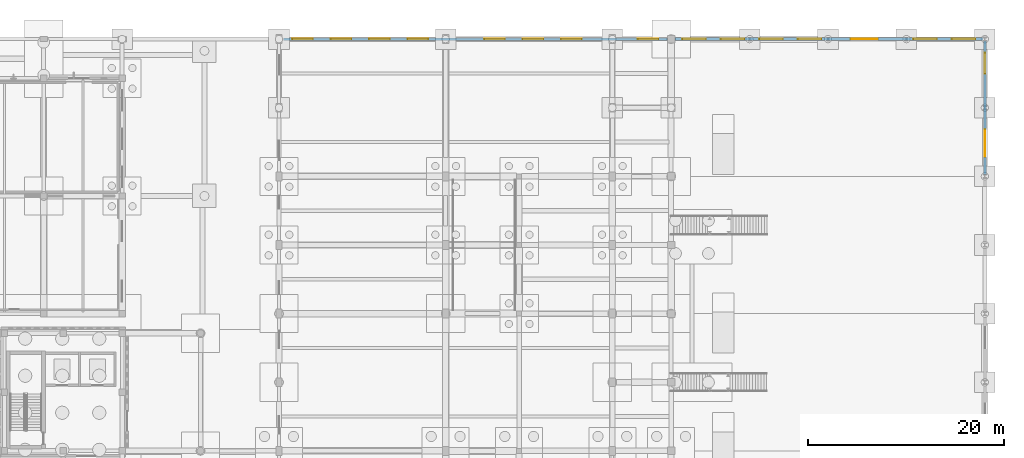
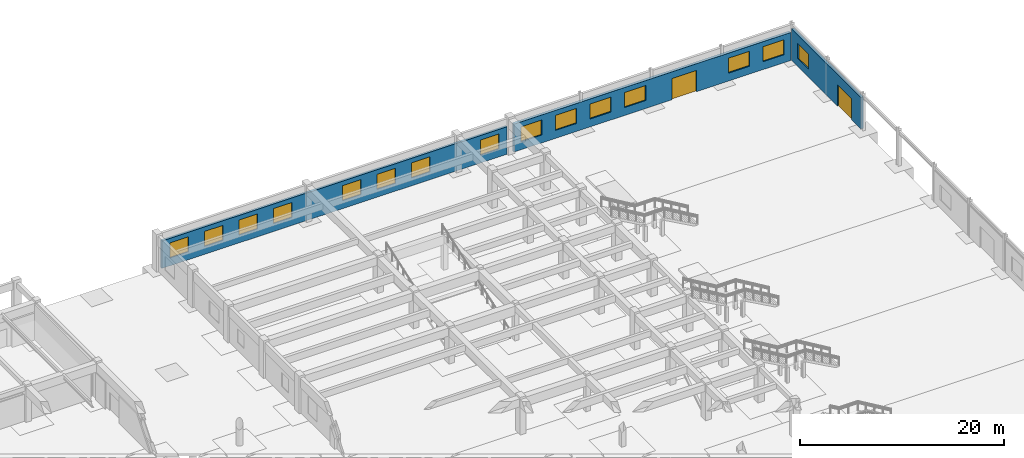
# One storey, part 63 of 84: 15 windows, 3 walls, 2 doors, 17 openings.
"""IFC4 building model written with IfcOpenShell, lengths in metres."""

from ifc_helpers import new_model, si_unit, direction, frame, frame_2d, origin, place, context, subcontext, project, spatial, rectangle, extrude, material, layer, layer_set, type_object, element, fill, save


model = new_model("IFC4")

# Units and contexts
model_context = context("Model", 3, precision=1e-05, world=origin(), true_north=direction((0.0, 1.0)))
body_context = subcontext(model_context, "Body", "Model", "MODEL_VIEW")
ifc_project = project(units=[si_unit("LENGTHUNIT", "METRE"), si_unit("AREAUNIT", "SQUARE_METRE"), si_unit("VOLUMEUNIT", "CUBIC_METRE"), si_unit("PLANEANGLEUNIT", "RADIAN"), si_unit("MASSUNIT", "GRAM", prefix="KILO")], contexts=[model_context])

# Site, building, storey
site_placement = place(None, origin())
site = spatial("IfcSite", under=ifc_project, at=site_placement, CompositionType="ELEMENT")
building_placement = place(site_placement, origin())
building = spatial("IfcBuilding", under=site, at=building_placement, Name="Larkveld Mobility Hub", CompositionType="ELEMENT")
storey_placement = place(building_placement, origin())
storey = spatial("IfcBuildingStorey", under=building, at=storey_placement, Name="L00", CompositionType="ELEMENT", Elevation=0.0)

# Wall, openings, windows
ifc_material_1 = material(Name="Precast concrete C50/60", Category="concrete")
ifc_layer_1 = layer(ifc_material_1, 0.27001953125, Name="Precast concrete C50/60", Category="concrete")
ifc_layer_set_1 = layer_set([ifc_layer_1], Name="Precast concrete C50/60")
wall_type_1 = type_object("IfcWallType", Name="WL-EXT-270", PredefinedType="SOLIDWALL", material=ifc_layer_set_1)
wall_1_placement = place(storey_placement, frame((151.614990234375, 126.0, 0.0), z_axis=(0.0, 0.0, 1.0), x_axis=(-1.0, 0.0, 0.0)))
wall_1 = element("IfcWall", 1, at=wall_1_placement, inside=storey, type_object=wall_type_1, Name="Stepped North Terrace Wall L00-0222", PredefinedType="SOLIDWALL", context=body_context, shape_type="SweptSolid", body=[
    extrude(rectangle(XDim=39.155029296875, YDim=0.27001953125, at=frame_2d((19.57763671875, 0.0))), origin(), (0.0, 0.0, 1.0), 3.294921875),
])
opening_1_placement = place(wall_1_placement, frame((0.907958984375, 0.0, 0.949951171875)))
opening_1 = element("IfcOpeningElement", 2, at=opening_1_placement, cuts=wall_1, Name="Opening W13", PredefinedType="OPENING", context=body_context, shape_type="SweptSolid", body=[
    extrude(rectangle(XDim=2.10009765625, YDim=1.800048828125, at=frame_2d((1.050048828125, 0.89990234375))), frame((0.0, 0.14501953125, 0.0), z_axis=(0.0, -1.0, 0.0), x_axis=(1.0, 0.0, 0.0)), (0.0, 0.0, 1.0), 0.2900390625),
])
opening_2_placement = place(wall_1_placement, frame((8.739013671875, 0.0, 0.949951171875)))
opening_2 = element("IfcOpeningElement", 3, at=opening_2_placement, cuts=wall_1, Name="Opening W13", PredefinedType="OPENING", context=body_context, shape_type="SweptSolid", body=[
    extrude(rectangle(XDim=2.10009765625, YDim=1.800048828125, at=frame_2d((1.050048828125, 0.89990234375))), frame((0.0, 0.14501953125, 0.0), z_axis=(0.0, -1.0, 0.0), x_axis=(1.0, 0.0, 0.0)), (0.0, 0.0, 1.0), 0.2900390625),
])
opening_3_placement = place(wall_1_placement, frame((12.654052734375, 0.0, 0.949951171875)))
opening_3 = element("IfcOpeningElement", 4, at=opening_3_placement, cuts=wall_1, Name="Opening W13", PredefinedType="OPENING", context=body_context, shape_type="SweptSolid", body=[
    extrude(rectangle(XDim=2.10009765625, YDim=1.800048828125, at=frame_2d((1.050048828125, 0.89990234375))), frame((0.0, 0.14501953125, 0.0), z_axis=(0.0, -1.0, 0.0), x_axis=(1.0, 0.0, 0.0)), (0.0, 0.0, 1.0), 0.2900390625),
])
opening_4_placement = place(wall_1_placement, frame((16.570068359375, 0.0, 0.949951171875)))
opening_4 = element("IfcOpeningElement", 5, at=opening_4_placement, cuts=wall_1, Name="Opening W13", PredefinedType="OPENING", context=body_context, shape_type="SweptSolid", body=[
    extrude(rectangle(XDim=2.10009765625, YDim=1.800048828125, at=frame_2d((1.050048828125, 0.89990234375))), frame((0.0, 0.14501953125, 0.0), z_axis=(0.0, -1.0, 0.0), x_axis=(1.0, 0.0, 0.0)), (0.0, 0.0, 1.0), 0.2900390625),
])
opening_5_placement = place(wall_1_placement, frame((24.40087890625, 0.0, 0.949951171875)))
opening_5 = element("IfcOpeningElement", 6, at=opening_5_placement, cuts=wall_1, Name="Opening W13", PredefinedType="OPENING", context=body_context, shape_type="SweptSolid", body=[
    extrude(rectangle(XDim=2.10009765625, YDim=1.800048828125, at=frame_2d((1.050048828125, 0.89990234375))), frame((0.0, 0.14501953125, 0.0), z_axis=(0.0, -1.0, 0.0), x_axis=(1.0, 0.0, 0.0)), (0.0, 0.0, 1.0), 0.2900390625),
])
opening_6_placement = place(wall_1_placement, frame((28.31591796875, 0.0, 0.949951171875)))
opening_6 = element("IfcOpeningElement", 7, at=opening_6_placement, cuts=wall_1, Name="Opening W13", PredefinedType="OPENING", context=body_context, shape_type="SweptSolid", body=[
    extrude(rectangle(XDim=2.10009765625, YDim=1.800048828125, at=frame_2d((1.050048828125, 0.89990234375))), frame((0.0, 0.14501953125, 0.0), z_axis=(0.0, -1.0, 0.0), x_axis=(1.0, 0.0, 0.0)), (0.0, 0.0, 1.0), 0.2900390625),
])
opening_7_placement = place(wall_1_placement, frame((32.23193359375, 0.0, 0.949951171875)))
opening_7 = element("IfcOpeningElement", 8, at=opening_7_placement, cuts=wall_1, Name="Opening W13", PredefinedType="OPENING", context=body_context, shape_type="SweptSolid", body=[
    extrude(rectangle(XDim=2.10009765625, YDim=1.800048828125, at=frame_2d((1.050048828125, 0.89990234375))), frame((0.0, 0.14501953125, 0.0), z_axis=(0.0, -1.0, 0.0), x_axis=(1.0, 0.0, 0.0)), (0.0, 0.0, 1.0), 0.2900390625),
])
opening_8_placement = place(wall_1_placement, frame((36.14697265625, 0.0, 0.949951171875)))
opening_8 = element("IfcOpeningElement", 9, at=opening_8_placement, cuts=wall_1, Name="Opening W13", PredefinedType="OPENING", context=body_context, shape_type="SweptSolid", body=[
    extrude(rectangle(XDim=2.10009765625, YDim=1.800048828125, at=frame_2d((1.050048828125, 0.89990234375))), frame((0.0, 0.14501953125, 0.0), z_axis=(0.0, -1.0, 0.0), x_axis=(1.0, 0.0, 0.0)), (0.0, 0.0, 1.0), 0.2900390625),
])
ifc_material_2 = material(Name="Low-E double glazing in aluminium frame", Category="aluminium")
window_type_1 = type_object("IfcWindowType", Name="WN-ALU-13", PartitioningType="SINGLE_PANEL", PredefinedType="WINDOW", material=ifc_material_2)
window_1_placement = place(opening_1_placement, origin())
window_1 = element("IfcWindow", 10, at=window_1_placement, inside=storey, type_object=window_type_1, Name="Window W13 (1025)", OverallHeight=1.800048828125, OverallWidth=2.10009765625, PartitioningType="SINGLE_PANEL", PredefinedType="WINDOW", context=body_context, shape_type="SweptSolid", body=[
    extrude(rectangle(XDim=2.10009765625, YDim=1.800048828125, at=frame_2d((1.050048828125, 0.89990234375))), frame((0.0, 0.030029296875, 0.0), z_axis=(0.0, -1.0, 0.0), x_axis=(1.0, 0.0, 0.0)), (0.0, 0.0, 1.0), 0.06005859375),
])
fill(opening_1, window_1)
window_2_placement = place(opening_2_placement, origin())
window_2 = element("IfcWindow", 11, at=window_2_placement, inside=storey, type_object=window_type_1, Name="Window W13 (1026)", OverallHeight=1.800048828125, OverallWidth=2.10009765625, PartitioningType="SINGLE_PANEL", PredefinedType="WINDOW", context=body_context, shape_type="SweptSolid", body=[
    extrude(rectangle(XDim=2.10009765625, YDim=1.800048828125, at=frame_2d((1.050048828125, 0.89990234375))), frame((0.0, 0.030029296875, 0.0), z_axis=(0.0, -1.0, 0.0), x_axis=(1.0, 0.0, 0.0)), (0.0, 0.0, 1.0), 0.06005859375),
])
fill(opening_2, window_2)
window_3_placement = place(opening_3_placement, origin())
window_3 = element("IfcWindow", 12, at=window_3_placement, inside=storey, type_object=window_type_1, Name="Window W13 (1027)", OverallHeight=1.800048828125, OverallWidth=2.10009765625, PartitioningType="SINGLE_PANEL", PredefinedType="WINDOW", context=body_context, shape_type="SweptSolid", body=[
    extrude(rectangle(XDim=2.10009765625, YDim=1.800048828125, at=frame_2d((1.050048828125, 0.89990234375))), frame((0.0, 0.030029296875, 0.0), z_axis=(0.0, -1.0, 0.0), x_axis=(1.0, 0.0, 0.0)), (0.0, 0.0, 1.0), 0.06005859375),
])
fill(opening_3, window_3)
window_4_placement = place(opening_4_placement, origin())
window_4 = element("IfcWindow", 13, at=window_4_placement, inside=storey, type_object=window_type_1, Name="Window W13 (1028)", OverallHeight=1.800048828125, OverallWidth=2.10009765625, PartitioningType="SINGLE_PANEL", PredefinedType="WINDOW", context=body_context, shape_type="SweptSolid", body=[
    extrude(rectangle(XDim=2.10009765625, YDim=1.800048828125, at=frame_2d((1.050048828125, 0.89990234375))), frame((0.0, 0.030029296875, 0.0), z_axis=(0.0, -1.0, 0.0), x_axis=(1.0, 0.0, 0.0)), (0.0, 0.0, 1.0), 0.06005859375),
])
fill(opening_4, window_4)
window_5_placement = place(opening_5_placement, origin())
window_5 = element("IfcWindow", 14, at=window_5_placement, inside=storey, type_object=window_type_1, Name="Window W13 (1029)", OverallHeight=1.800048828125, OverallWidth=2.10009765625, PartitioningType="SINGLE_PANEL", PredefinedType="WINDOW", context=body_context, shape_type="SweptSolid", body=[
    extrude(rectangle(XDim=2.10009765625, YDim=1.800048828125, at=frame_2d((1.050048828125, 0.89990234375))), frame((0.0, 0.030029296875, 0.0), z_axis=(0.0, -1.0, 0.0), x_axis=(1.0, 0.0, 0.0)), (0.0, 0.0, 1.0), 0.06005859375),
])
fill(opening_5, window_5)
window_6_placement = place(opening_6_placement, origin())
window_6 = element("IfcWindow", 15, at=window_6_placement, inside=storey, type_object=window_type_1, Name="Window W13 (1030)", OverallHeight=1.800048828125, OverallWidth=2.10009765625, PartitioningType="SINGLE_PANEL", PredefinedType="WINDOW", context=body_context, shape_type="SweptSolid", body=[
    extrude(rectangle(XDim=2.10009765625, YDim=1.800048828125, at=frame_2d((1.050048828125, 0.89990234375))), frame((0.0, 0.030029296875, 0.0), z_axis=(0.0, -1.0, 0.0), x_axis=(1.0, 0.0, 0.0)), (0.0, 0.0, 1.0), 0.06005859375),
])
fill(opening_6, window_6)
window_7_placement = place(opening_7_placement, origin())
window_7 = element("IfcWindow", 16, at=window_7_placement, inside=storey, type_object=window_type_1, Name="Window W13 (1031)", OverallHeight=1.800048828125, OverallWidth=2.10009765625, PartitioningType="SINGLE_PANEL", PredefinedType="WINDOW", context=body_context, shape_type="SweptSolid", body=[
    extrude(rectangle(XDim=2.10009765625, YDim=1.800048828125, at=frame_2d((1.050048828125, 0.89990234375))), frame((0.0, 0.030029296875, 0.0), z_axis=(0.0, -1.0, 0.0), x_axis=(1.0, 0.0, 0.0)), (0.0, 0.0, 1.0), 0.06005859375),
])
fill(opening_7, window_7)
window_8_placement = place(opening_8_placement, origin())
window_8 = element("IfcWindow", 17, at=window_8_placement, inside=storey, type_object=window_type_1, Name="Window W13 (1032)", OverallHeight=1.800048828125, OverallWidth=2.10009765625, PartitioningType="SINGLE_PANEL", PredefinedType="WINDOW", context=body_context, shape_type="SweptSolid", body=[
    extrude(rectangle(XDim=2.10009765625, YDim=1.800048828125, at=frame_2d((1.050048828125, 0.89990234375))), frame((0.0, 0.030029296875, 0.0), z_axis=(0.0, -1.0, 0.0), x_axis=(1.0, 0.0, 0.0)), (0.0, 0.0, 1.0), 0.06005859375),
])
fill(opening_8, window_8)

# Wall, openings, door, window
ifc_layer_2 = layer(ifc_material_1, 0.300048828125, Name="Precast concrete C50/60", Category="concrete")
ifc_layer_set_2 = layer_set([ifc_layer_2], Name="Precast concrete C50/60")
wall_type_2 = type_object("IfcWallType", Name="WL-EXT-300", PredefinedType="SOLIDWALL", material=ifc_layer_set_2)
wall_2_placement = place(storey_placement, frame((184.0, 112.196044921875, 0.0), z_axis=(0.0, 0.0, 1.0), x_axis=(0.0, 1.0, 0.0)))
wall_2 = element("IfcWall", 18, at=wall_2_placement, inside=storey, type_object=wall_type_2, Name="Bus Boarding Apron Wall L00-0179", PredefinedType="SOLIDWALL", context=body_context, shape_type="SweptSolid", body=[
    extrude(rectangle(XDim=13.60791015625, YDim=0.300048828125, at=frame_2d((6.803955078125, 0.0))), origin(), (0.0, 0.0, 1.0), 3.794921875),
])
opening_9_placement = place(wall_2_placement, frame((1.803955078125, 0.0, 0.0)))
opening_9 = element("IfcOpeningElement", 19, at=opening_9_placement, cuts=wall_2, Name="Opening ED05", PredefinedType="OPENING", context=body_context, shape_type="SweptSolid", body=[
    extrude(rectangle(XDim=2.800048828125, YDim=2.550048828125, at=frame_2d((1.39990234375, 1.27490234375))), frame((0.0, 0.16015625, 0.0), z_axis=(0.0, -1.0, 0.0), x_axis=(1.0, 0.0, 0.0)), (0.0, 0.0, 1.0), 0.320068359375),
])
opening_10_placement = place(wall_2_placement, frame((10.2900390625, 0.0, 0.949951171875)))
opening_10 = element("IfcOpeningElement", 20, at=opening_10_placement, cuts=wall_2, Name="Opening W13", PredefinedType="OPENING", context=body_context, shape_type="SweptSolid", body=[
    extrude(rectangle(XDim=2.10009765625, YDim=1.800048828125, at=frame_2d((1.050048828125, 0.89990234375))), frame((0.0, 0.16015625, 0.0), z_axis=(0.0, -1.0, 0.0), x_axis=(1.0, 0.0, 0.0)), (0.0, 0.0, 1.0), 0.320068359375),
])
ifc_material_3 = material(Name="Automatic sliding intermodal portal door", Category="aluminium")
door_type = type_object("IfcDoorType", Name="DR-EXT-SL28", OperationType="DOUBLE_DOOR_SLIDING", PredefinedType="DOOR", material=ifc_material_3)
door_1_placement = place(opening_9_placement, origin())
door_1 = element("IfcDoor", 21, at=door_1_placement, inside=storey, type_object=door_type, Name="Bus Gate Boarding Door BG-7 EDR-L00-010", OperationType="DOUBLE_DOOR_SLIDING", OverallHeight=2.550048828125, OverallWidth=2.800048828125, PredefinedType="DOOR", context=body_context, shape_type="SweptSolid", body=[
    extrude(rectangle(XDim=2.800048828125, YDim=2.550048828125, at=frame_2d((1.39990234375, 1.27490234375))), frame((0.0, 0.02490234375, 0.0), z_axis=(0.0, -1.0, 0.0), x_axis=(1.0, 0.0, 0.0)), (0.0, 0.0, 1.0), 0.050048828125),
])
fill(opening_9, door_1)
window_9_placement = place(opening_10_placement, origin())
window_9 = element("IfcWindow", 22, at=window_9_placement, inside=storey, type_object=window_type_1, Name="Window W13 (0830)", OverallHeight=1.800048828125, OverallWidth=2.10009765625, PartitioningType="SINGLE_PANEL", PredefinedType="WINDOW", context=body_context, shape_type="SweptSolid", body=[
    extrude(rectangle(XDim=2.10009765625, YDim=1.800048828125, at=frame_2d((1.050048828125, 0.89990234375))), frame((0.0, 0.030029296875, 0.0), z_axis=(0.0, -1.0, 0.0), x_axis=(1.0, 0.0, 0.0)), (0.0, 0.0, 1.0), 0.06005859375),
])
fill(opening_10, window_9)

# Wall, openings, door, windows
ifc_material_4 = material(Name="Concrete C40/50", Category="concrete")
ifc_layer_3 = layer(ifc_material_4, 0.330078125, Name="Concrete C40/50", Category="concrete")
ifc_layer_set_3 = layer_set([ifc_layer_3], Name="Concrete C40/50")
wall_type_3 = type_object("IfcWallType", Name="WL-EXT-330", PredefinedType="SOLIDWALL", material=ifc_layer_set_3)
wall_3_placement = place(storey_placement, frame((183.803955078125, 126.0, 0.0), z_axis=(0.0, 0.0, 1.0), x_axis=(-1.0, 0.0, 0.0)))
wall_3 = element("IfcWall", 23, at=wall_3_placement, inside=storey, type_object=wall_type_3, Name="North Ridgeway Bus Concourse Facade L00-0180", PredefinedType="SOLIDWALL", context=body_context, shape_type="SweptSolid", body=[
    extrude(rectangle(XDim=31.4189453125, YDim=0.330078125, at=frame_2d((15.70947265625, 0.0))), origin(), (0.0, 0.0, 1.0), 3.344970703125),
])
opening_11_placement = place(wall_3_placement, frame((10.7099609375, 0.0, 0.0)))
opening_11 = element("IfcOpeningElement", 24, at=opening_11_placement, cuts=wall_3, Name="Opening ED05", PredefinedType="OPENING", context=body_context, shape_type="SweptSolid", body=[
    extrude(rectangle(XDim=2.800048828125, YDim=2.550048828125, at=frame_2d((1.39990234375, 1.27490234375))), frame((0.0, 0.175048828125, 0.0), z_axis=(0.0, -1.0, 0.0), x_axis=(1.0, 0.0, 0.0)), (0.0, 0.0, 1.0), 0.35009765625),
])
opening_12_placement = place(wall_3_placement, frame((0.763916015625, 0.0, 0.949951171875)))
opening_12 = element("IfcOpeningElement", 25, at=opening_12_placement, cuts=wall_3, Name="Opening W14", PredefinedType="OPENING", context=body_context, shape_type="SweptSolid", body=[
    extrude(rectangle(XDim=2.39990234375, YDim=1.800048828125, at=frame_2d((1.199951171875, 0.89990234375))), frame((0.0, 0.175048828125, 0.0), z_axis=(0.0, -1.0, 0.0), x_axis=(1.0, 0.0, 0.0)), (0.0, 0.0, 1.0), 0.35009765625),
])
opening_13_placement = place(wall_3_placement, frame((4.69091796875, 0.0, 0.949951171875)))
opening_13 = element("IfcOpeningElement", 26, at=opening_13_placement, cuts=wall_3, Name="Opening W14", PredefinedType="OPENING", context=body_context, shape_type="SweptSolid", body=[
    extrude(rectangle(XDim=2.39990234375, YDim=1.800048828125, at=frame_2d((1.199951171875, 0.89990234375))), frame((0.0, 0.175048828125, 0.0), z_axis=(0.0, -1.0, 0.0), x_axis=(1.0, 0.0, 0.0)), (0.0, 0.0, 1.0), 0.35009765625),
])
opening_14_placement = place(wall_3_placement, frame((16.472900390625, 0.0, 0.949951171875)))
opening_14 = element("IfcOpeningElement", 27, at=opening_14_placement, cuts=wall_3, Name="Opening W14", PredefinedType="OPENING", context=body_context, shape_type="SweptSolid", body=[
    extrude(rectangle(XDim=2.39990234375, YDim=1.800048828125, at=frame_2d((1.199951171875, 0.89990234375))), frame((0.0, 0.175048828125, 0.0), z_axis=(0.0, -1.0, 0.0), x_axis=(1.0, 0.0, 0.0)), (0.0, 0.0, 1.0), 0.35009765625),
])
opening_15_placement = place(wall_3_placement, frame((20.40087890625, 0.0, 0.949951171875)))
opening_15 = element("IfcOpeningElement", 28, at=opening_15_placement, cuts=wall_3, Name="Opening W14", PredefinedType="OPENING", context=body_context, shape_type="SweptSolid", body=[
    extrude(rectangle(XDim=2.39990234375, YDim=1.800048828125, at=frame_2d((1.199951171875, 0.89990234375))), frame((0.0, 0.175048828125, 0.0), z_axis=(0.0, -1.0, 0.0), x_axis=(1.0, 0.0, 0.0)), (0.0, 0.0, 1.0), 0.35009765625),
])
opening_16_placement = place(wall_3_placement, frame((24.327880859375, 0.0, 0.949951171875)))
opening_16 = element("IfcOpeningElement", 29, at=opening_16_placement, cuts=wall_3, Name="Opening W14", PredefinedType="OPENING", context=body_context, shape_type="SweptSolid", body=[
    extrude(rectangle(XDim=2.39990234375, YDim=1.800048828125, at=frame_2d((1.199951171875, 0.89990234375))), frame((0.0, 0.175048828125, 0.0), z_axis=(0.0, -1.0, 0.0), x_axis=(1.0, 0.0, 0.0)), (0.0, 0.0, 1.0), 0.35009765625),
])
opening_17_placement = place(wall_3_placement, frame((28.2548828125, 0.0, 0.949951171875)))
opening_17 = element("IfcOpeningElement", 30, at=opening_17_placement, cuts=wall_3, Name="Opening W14", PredefinedType="OPENING", context=body_context, shape_type="SweptSolid", body=[
    extrude(rectangle(XDim=2.39990234375, YDim=1.800048828125, at=frame_2d((1.199951171875, 0.89990234375))), frame((0.0, 0.175048828125, 0.0), z_axis=(0.0, -1.0, 0.0), x_axis=(1.0, 0.0, 0.0)), (0.0, 0.0, 1.0), 0.35009765625),
])
door_2_placement = place(opening_11_placement, origin())
door_2 = element("IfcDoor", 31, at=door_2_placement, inside=storey, type_object=door_type, Name="North Ridgeway Intermodal Main Entrance EDR-L00-011", OperationType="DOUBLE_DOOR_SLIDING", OverallHeight=2.550048828125, OverallWidth=2.800048828125, PredefinedType="DOOR", context=body_context, shape_type="SweptSolid", body=[
    extrude(rectangle(XDim=2.800048828125, YDim=2.550048828125, at=frame_2d((1.39990234375, 1.27490234375))), frame((0.0, 0.02490234375, 0.0), z_axis=(0.0, -1.0, 0.0), x_axis=(1.0, 0.0, 0.0)), (0.0, 0.0, 1.0), 0.050048828125),
])
fill(opening_11, door_2)
window_type_2 = type_object("IfcWindowType", Name="WN-ALU-14", PartitioningType="SINGLE_PANEL", PredefinedType="WINDOW", material=ifc_material_2)
window_10_placement = place(opening_12_placement, origin())
window_10 = element("IfcWindow", 32, at=window_10_placement, inside=storey, type_object=window_type_2, Name="Window W14 (0831)", OverallHeight=1.800048828125, OverallWidth=2.39990234375, PartitioningType="SINGLE_PANEL", PredefinedType="WINDOW", context=body_context, shape_type="SweptSolid", body=[
    extrude(rectangle(XDim=2.39990234375, YDim=1.800048828125, at=frame_2d((1.199951171875, 0.89990234375))), frame((0.0, 0.030029296875, 0.0), z_axis=(0.0, -1.0, 0.0), x_axis=(1.0, 0.0, 0.0)), (0.0, 0.0, 1.0), 0.06005859375),
])
fill(opening_12, window_10)
window_11_placement = place(opening_13_placement, origin())
window_11 = element("IfcWindow", 33, at=window_11_placement, inside=storey, type_object=window_type_2, Name="Window W14 (0832)", OverallHeight=1.800048828125, OverallWidth=2.39990234375, PartitioningType="SINGLE_PANEL", PredefinedType="WINDOW", context=body_context, shape_type="SweptSolid", body=[
    extrude(rectangle(XDim=2.39990234375, YDim=1.800048828125, at=frame_2d((1.199951171875, 0.89990234375))), frame((0.0, 0.030029296875, 0.0), z_axis=(0.0, -1.0, 0.0), x_axis=(1.0, 0.0, 0.0)), (0.0, 0.0, 1.0), 0.06005859375),
])
fill(opening_13, window_11)
window_12_placement = place(opening_14_placement, origin())
window_12 = element("IfcWindow", 34, at=window_12_placement, inside=storey, type_object=window_type_2, Name="Window W14 (0833)", OverallHeight=1.800048828125, OverallWidth=2.39990234375, PartitioningType="SINGLE_PANEL", PredefinedType="WINDOW", context=body_context, shape_type="SweptSolid", body=[
    extrude(rectangle(XDim=2.39990234375, YDim=1.800048828125, at=frame_2d((1.199951171875, 0.89990234375))), frame((0.0, 0.030029296875, 0.0), z_axis=(0.0, -1.0, 0.0), x_axis=(1.0, 0.0, 0.0)), (0.0, 0.0, 1.0), 0.06005859375),
])
fill(opening_14, window_12)
window_13_placement = place(opening_15_placement, origin())
window_13 = element("IfcWindow", 35, at=window_13_placement, inside=storey, type_object=window_type_2, Name="Window W14 (0834)", OverallHeight=1.800048828125, OverallWidth=2.39990234375, PartitioningType="SINGLE_PANEL", PredefinedType="WINDOW", context=body_context, shape_type="SweptSolid", body=[
    extrude(rectangle(XDim=2.39990234375, YDim=1.800048828125, at=frame_2d((1.199951171875, 0.89990234375))), frame((0.0, 0.030029296875, 0.0), z_axis=(0.0, -1.0, 0.0), x_axis=(1.0, 0.0, 0.0)), (0.0, 0.0, 1.0), 0.06005859375),
])
fill(opening_15, window_13)
window_14_placement = place(opening_16_placement, origin())
window_14 = element("IfcWindow", 36, at=window_14_placement, inside=storey, type_object=window_type_2, Name="Window W14 (0835)", OverallHeight=1.800048828125, OverallWidth=2.39990234375, PartitioningType="SINGLE_PANEL", PredefinedType="WINDOW", context=body_context, shape_type="SweptSolid", body=[
    extrude(rectangle(XDim=2.39990234375, YDim=1.800048828125, at=frame_2d((1.199951171875, 0.89990234375))), frame((0.0, 0.030029296875, 0.0), z_axis=(0.0, -1.0, 0.0), x_axis=(1.0, 0.0, 0.0)), (0.0, 0.0, 1.0), 0.06005859375),
])
fill(opening_16, window_14)
window_15_placement = place(opening_17_placement, origin())
window_15 = element("IfcWindow", 37, at=window_15_placement, inside=storey, type_object=window_type_2, Name="Window W14 (0836)", OverallHeight=1.800048828125, OverallWidth=2.39990234375, PartitioningType="SINGLE_PANEL", PredefinedType="WINDOW", context=body_context, shape_type="SweptSolid", body=[
    extrude(rectangle(XDim=2.39990234375, YDim=1.800048828125, at=frame_2d((1.199951171875, 0.89990234375))), frame((0.0, 0.030029296875, 0.0), z_axis=(0.0, -1.0, 0.0), x_axis=(1.0, 0.0, 0.0)), (0.0, 0.0, 1.0), 0.06005859375),
])
fill(opening_17, window_15)

save(model, "model.ifc")
